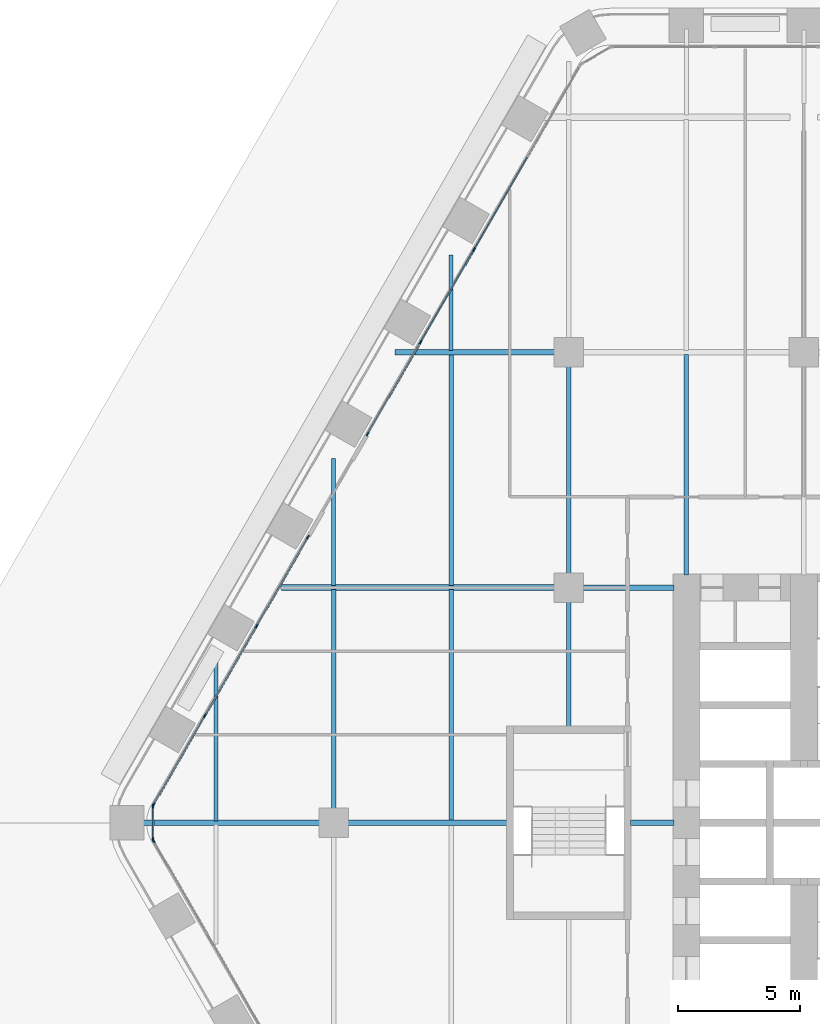
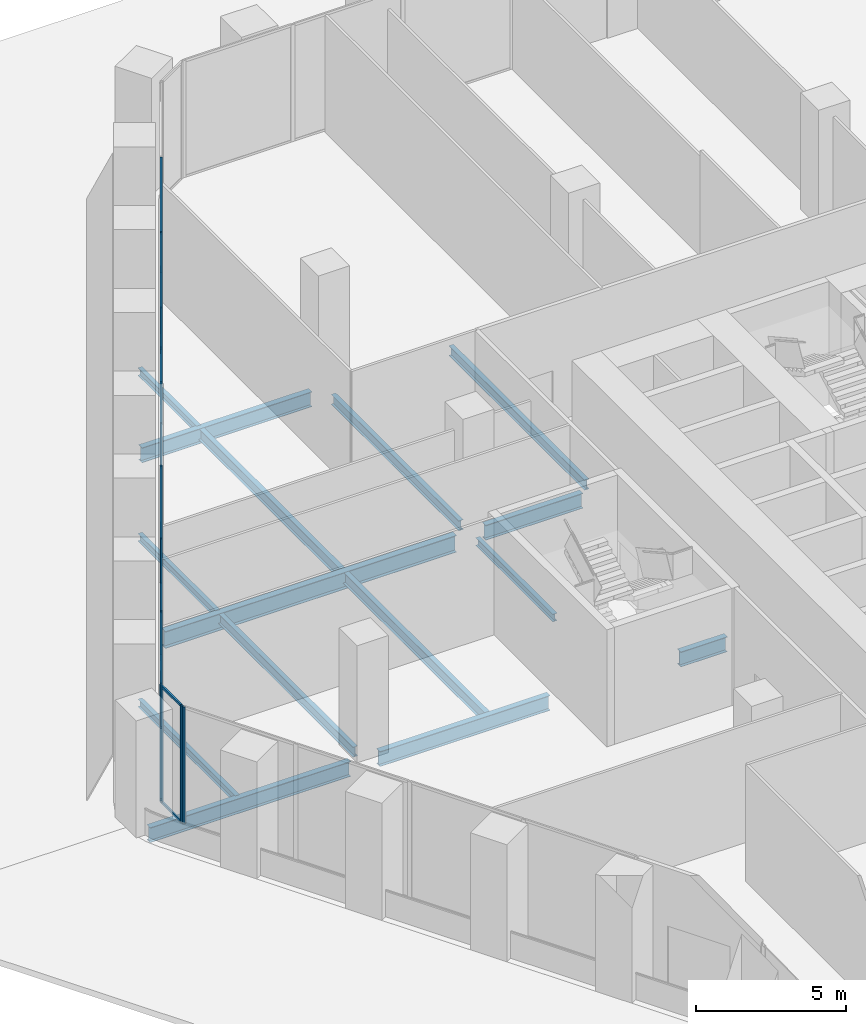
# One storey, part 7 of 29: 24 members, 15 beams, 4 elements without a shape of their own.
"""IFC4 building model written with IfcOpenShell, lengths in metres."""

from ifc_helpers import new_model, si_unit, direction, frame, origin, origin_2d, place, context, subcontext, project, spatial, rectangle, i_section, extrude, material, material_profile, profile_set, type_object, element, aggregate, save


model = new_model("IFC4")

# Units and contexts
model_context = context("Model", 3, precision=1e-05, world=origin(), true_north=direction((0.0, 1.0)))
body_context = subcontext(model_context, "Body", "Model", "MODEL_VIEW")
ifc_project = project(units=[si_unit("LENGTHUNIT", "METRE"), si_unit("AREAUNIT", "SQUARE_METRE"), si_unit("VOLUMEUNIT", "CUBIC_METRE"), si_unit("PLANEANGLEUNIT", "RADIAN"), si_unit("MASSUNIT", "GRAM", prefix="KILO")], contexts=[model_context])

# Site, building, storey
site_placement = place(None, origin())
site = spatial("IfcSite", under=ifc_project, at=site_placement, CompositionType="ELEMENT")
building_placement = place(site_placement, origin())
building = spatial("IfcBuilding", under=site, at=building_placement, Name="Kolab Exchange Tower", CompositionType="ELEMENT")
storey_placement = place(building_placement, frame((0.0, 0.0, 17.39990234375)))
storey = spatial("IfcBuildingStorey", under=building, at=storey_placement, Name="L03", CompositionType="ELEMENT", Elevation=17.39990234375)

# Beams
ifc_material_1 = material(Name="Steel S355", Category="steel")
ifc_material_profile_1 = material_profile(ifc_material_1, i_section(OverallWidth=0.1650390625, OverallDepth=0.31005859375, WebThickness=0.005859375, FlangeThickness=0.009765625, at=origin_2d()), Name="W310X39")
ifc_profile_set_1 = profile_set([ifc_material_profile_1], Name="Steel S355")
beam_type_1 = type_object("IfcBeamType", Name="FLOOR BEAM W310X39", PredefinedType="BEAM", material=ifc_profile_set_1)
beam_1_placement = place(storey_placement, frame((-33.60009765625, 0.073974609375, -0.40478515625), z_axis=(0.0, 1.0, 0.0), x_axis=(-1.0, 0.0, 0.0)))
element("IfcBeam", 1, at=beam_1_placement, inside=storey, type_object=beam_type_1, Name="beam/L03/fr/001", PredefinedType="BEAM", context=body_context, shape_type="SweptSolid", body=[
    extrude(i_section(OverallWidth=0.1650390625, OverallDepth=0.31005859375, WebThickness=0.005859375, FlangeThickness=0.009765625, at=origin_2d()), origin(), (0.0, 0.0, 1.0), 6.479736328125),
])
beam_2_placement = place(storey_placement, frame((-28.800048828125, 9.68701171875, -0.40478515625), z_axis=(0.0, 1.0, 0.0), x_axis=(-1.0, 0.0, 0.0)))
element("IfcBeam", 2, at=beam_2_placement, inside=storey, type_object=beam_type_1, Name="beam/L03/fr/005", PredefinedType="BEAM", context=body_context, shape_type="SweptSolid", body=[
    extrude(i_section(OverallWidth=0.1650390625, OverallDepth=0.31005859375, WebThickness=0.005859375, FlangeThickness=0.009765625, at=origin_2d()), origin(), (0.0, 0.0, 1.0), 5.1806640625),
])
beam_3_placement = place(storey_placement, frame((-24.0, 19.27392578125, -0.40478515625), z_axis=(0.0, 1.0, 0.0), x_axis=(-1.0, 0.0, 0.0)))
element("IfcBeam", 3, at=beam_3_placement, inside=storey, type_object=beam_type_1, Name="beam/L03/fr/011", PredefinedType="BEAM", context=body_context, shape_type="SweptSolid", body=[
    extrude(i_section(OverallWidth=0.1650390625, OverallDepth=0.31005859375, WebThickness=0.005859375, FlangeThickness=0.009765625, at=origin_2d()), origin(), (0.0, 0.0, 1.0), 3.907470703125),
])
beam_4_placement = place(storey_placement, frame((-19.199951171875, 3.909912109375, -0.40478515625), z_axis=(0.0, 1.0, 0.0), x_axis=(-1.0, 0.0, 0.0)))
element("IfcBeam", 4, at=beam_4_placement, inside=storey, type_object=beam_type_1, Name="beam/L03/fr/015", PredefinedType="BEAM", context=body_context, shape_type="SweptSolid", body=[
    extrude(i_section(OverallWidth=0.1650390625, OverallDepth=0.31005859375, WebThickness=0.005859375, FlangeThickness=0.009765625, at=origin_2d()), origin(), (0.0, 0.0, 1.0), 5.130126953125),
])
ifc_material_profile_2 = material_profile(ifc_material_1, i_section(OverallWidth=0.177978515625, OverallDepth=0.406982421875, WebThickness=0.0078125, FlangeThickness=0.0126953125, at=origin_2d()), Name="W410X60")
ifc_profile_set_2 = profile_set([ifc_material_profile_2], Name="Steel S355")
beam_type_2 = type_object("IfcBeamType", Name="FLOOR BEAM W410X60", PredefinedType="BEAM", material=ifc_profile_set_2)
beam_5_placement = place(storey_placement, frame((-28.800048828125, 0.56005859375, -0.453369140625), z_axis=(0.0, 1.0, 0.0), x_axis=(-1.0, 0.0, 0.0)))
element("IfcBeam", 5, at=beam_5_placement, inside=storey, type_object=beam_type_2, Name="beam/L03/fr/004", PredefinedType="BEAM", context=body_context, shape_type="SweptSolid", body=[
    extrude(i_section(OverallWidth=0.177978515625, OverallDepth=0.406982421875, WebThickness=0.0078125, FlangeThickness=0.0126953125, at=origin_2d()), origin(), (0.0, 0.0, 1.0), 8.952880859375),
])
beam_6_placement = place(storey_placement, frame((-19.199951171875, 10.159912109375, -0.453369140625), z_axis=(0.0, 1.0, 0.0), x_axis=(-1.0, 0.0, 0.0)))
element("IfcBeam", 6, at=beam_6_placement, inside=storey, type_object=beam_type_2, Name="beam/L03/fr/016", PredefinedType="BEAM", context=body_context, shape_type="SweptSolid", body=[
    extrude(i_section(OverallWidth=0.177978515625, OverallDepth=0.406982421875, WebThickness=0.0078125, FlangeThickness=0.0126953125, at=origin_2d()), origin(), (0.0, 0.0, 1.0), 8.47998046875),
])
beam_7_placement = place(storey_placement, frame((-14.39990234375, 10.110107421875, -0.453369140625), z_axis=(0.0, 1.0, 0.0), x_axis=(-1.0, 0.0, 0.0)))
element("IfcBeam", 7, at=beam_7_placement, inside=storey, type_object=beam_type_2, Name="beam/L03/fr/022", PredefinedType="BEAM", context=body_context, shape_type="SweptSolid", body=[
    extrude(i_section(OverallWidth=0.177978515625, OverallDepth=0.406982421875, WebThickness=0.0078125, FlangeThickness=0.0126953125, at=origin_2d()), origin(), (0.0, 0.0, 1.0), 9.015869140625),
])
ifc_material_profile_3 = material_profile(ifc_material_1, i_section(OverallWidth=0.18994140625, OverallDepth=0.45703125, WebThickness=0.009033203125, FlangeThickness=0.014404296875, at=origin_2d()), Name="W460X74")
ifc_profile_set_3 = profile_set([ifc_material_profile_3], Name="Steel S355")
beam_type_3 = type_object("IfcBeamType", Name="FLOOR BEAM W460X74", PredefinedType="BEAM", material=ifc_profile_set_3)
for number, where, z_axis, x_axis, name in (
    (8, (-24.0, 0.073974609375, -0.478515625), (0.0, 1.0, 0.0), (-1.0, 0.0, 0.0), "beam/L03/fr/009"),
    (9, (-24.0, 9.68701171875, -0.478515625), (0.0, 1.0, 0.0), (-1.0, 0.0, 0.0), "beam/L03/fr/010"),
):
    element("IfcBeam", number, at=place(storey_placement, frame(where, z_axis=z_axis, x_axis=x_axis)), inside=storey, type_object=beam_type_3, Name=name, PredefinedType="BEAM", context=body_context, shape_type="SweptSolid", body=[
        extrude(i_section(OverallWidth=0.18994140625, OverallDepth=0.45703125, WebThickness=0.009033203125, FlangeThickness=0.014404296875, at=origin_2d()), origin(), (0.0, 0.0, 1.0), 9.43896484375),
    ])
ifc_material_profile_4 = material_profile(ifc_material_1, i_section(OverallWidth=0.22802734375, OverallDepth=0.60791015625, WebThickness=0.01123046875, FlangeThickness=0.017333984375, at=origin_2d()), Name="W610X113")
ifc_profile_set_4 = profile_set([ifc_material_profile_4], Name="Steel S355")
beam_type_4 = type_object("IfcBeamType", Name="FLOOR GIRDER W610X113", PredefinedType="BEAM", material=ifc_profile_set_4)
beam_8_placement = place(storey_placement, frame((-37.0537109375, 0.0, -0.553955078125), z_axis=(1.0, 0.0, 0.0), x_axis=(0.0, 1.0, 0.0)))
element("IfcBeam", 10, at=beam_8_placement, inside=storey, type_object=beam_type_4, Name="beam/L03/gd/000", PredefinedType="BEAM", context=body_context, shape_type="SweptSolid", body=[
    extrude(i_section(OverallWidth=0.22802734375, OverallDepth=0.60791015625, WebThickness=0.01123046875, FlangeThickness=0.017333984375, at=origin_2d()), origin(), (0.0, 0.0, 1.0), 7.693603515625),
])
beam_9_placement = place(storey_placement, frame((-28.239990234375, 0.0, -0.553955078125), z_axis=(1.0, 0.0, 0.0), x_axis=(0.0, 1.0, 0.0)))
element("IfcBeam", 11, at=beam_9_placement, inside=storey, type_object=beam_type_4, Name="beam/L03/gd/004", PredefinedType="BEAM", context=body_context, shape_type="SweptSolid", body=[
    extrude(i_section(OverallWidth=0.22802734375, OverallDepth=0.60791015625, WebThickness=0.01123046875, FlangeThickness=0.017333984375, at=origin_2d()), origin(), (0.0, 0.0, 1.0), 6.530029296875),
])
beam_10_placement = place(storey_placement, frame((-26.286865234375, 19.199951171875, -0.553955078125), z_axis=(1.0, 0.0, 0.0), x_axis=(0.0, 1.0, 0.0)))
element("IfcBeam", 12, at=beam_10_placement, inside=storey, type_object=beam_type_4, Name="beam/L03/gd/006", PredefinedType="BEAM", context=body_context, shape_type="SweptSolid", body=[
    extrude(i_section(OverallWidth=0.22802734375, OverallDepth=0.60791015625, WebThickness=0.01123046875, FlangeThickness=0.017333984375, at=origin_2d()), origin(), (0.0, 0.0, 1.0), 6.52685546875),
])
beam_11_placement = place(storey_placement, frame((-18.639892578125, 9.60009765625, -0.553955078125), z_axis=(1.0, 0.0, 0.0), x_axis=(0.0, 1.0, 0.0)))
element("IfcBeam", 13, at=beam_11_placement, inside=storey, type_object=beam_type_4, Name="beam/L03/gd/011", PredefinedType="BEAM", context=body_context, shape_type="SweptSolid", body=[
    extrude(i_section(OverallWidth=0.22802734375, OverallDepth=0.60791015625, WebThickness=0.01123046875, FlangeThickness=0.017333984375, at=origin_2d()), origin(), (0.0, 0.0, 1.0), 3.72998046875),
])
beam_12_placement = place(storey_placement, frame((-16.68994140625, 0.0, -0.553955078125), z_axis=(1.0, 0.0, 0.0), x_axis=(0.0, 1.0, 0.0)))
element("IfcBeam", 14, at=beam_12_placement, inside=storey, type_object=beam_type_4, Name="beam/L03/gd/013", PredefinedType="BEAM", context=body_context, shape_type="SweptSolid", body=[
    extrude(i_section(OverallWidth=0.22802734375, OverallDepth=0.60791015625, WebThickness=0.01123046875, FlangeThickness=0.017333984375, at=origin_2d()), origin(), (0.0, 0.0, 1.0), 1.780029296875),
])
ifc_material_profile_5 = material_profile(ifc_material_1, i_section(OverallWidth=0.25390625, OverallDepth=0.68408203125, WebThickness=0.012451171875, FlangeThickness=0.018798828125, at=origin_2d()), Name="W690X140")
ifc_profile_set_5 = profile_set([ifc_material_profile_5], Name="Steel S355")
beam_type_5 = type_object("IfcBeamType", Name="FLOOR GIRDER W690X140", PredefinedType="BEAM", material=ifc_profile_set_5)
beam_13_placement = place(storey_placement, frame((-30.934326171875, 9.60009765625, -0.591796875), z_axis=(1.0, 0.0, 0.0), x_axis=(0.0, 1.0, 0.0)))
element("IfcBeam", 15, at=beam_13_placement, inside=storey, type_object=beam_type_5, Name="beam/L03/gd/002", PredefinedType="BEAM", context=body_context, shape_type="SweptSolid", body=[
    extrude(i_section(OverallWidth=0.25390625, OverallDepth=0.68408203125, WebThickness=0.012451171875, FlangeThickness=0.018798828125, at=origin_2d()), origin(), (0.0, 0.0, 1.0), 11.17431640625),
])

# Curtain wall, member
ifc_material_2 = material(Name="Aluminium EN AW-6063 T6", Category="aluminium")
curtain_wall_type = type_object("IfcCurtainWallType", Name="UNITISED LOW ZONE CURTAIN WALL", PredefinedType="NOTDEFINED", material=ifc_material_2)
curtain_wall_1_placement = place(storey_placement, origin())
curtain_wall_1 = element("IfcCurtainWall", 16, at=curtain_wall_1_placement, inside=storey, type_object=curtain_wall_type, Name="cw/L03/F5-2", PredefinedType="NOTDEFINED")
ifc_material_profile_6 = material_profile(ifc_material_2, rectangle(XDim=0.06005859375, YDim=0.159912109375, at=origin_2d()), Name="RECT 60X160")
ifc_profile_set_6 = profile_set([ifc_material_profile_6], Name="Aluminium EN AW-6063 T6")
member_type_1 = type_object("IfcMemberType", Name="UNITISED LOW ZONE MULLION 60 X 160", PredefinedType="MULLION", material=ifc_profile_set_6)
member_1_placement = place(storey_placement, frame((-36.150634765625, -0.736083984375, 0.0), z_axis=(0.0, 0.0, 1.0), x_axis=(-0.866025422102, -0.499999968274, 0.0)))
member_1 = element("IfcMember", 17, at=member_1_placement, type_object=member_type_1, Name="CW1 mullion 5", PredefinedType="MULLION", context=body_context, shape_type="SweptSolid", body=[
    extrude(rectangle(XDim=0.06005859375, YDim=0.159912109375, at=origin_2d()), origin(), (0.0, 0.0, 1.0), 4.75),
])
aggregate(curtain_wall_1, [member_1])

# Curtain wall, members
curtain_wall_2_placement = place(storey_placement, origin())
curtain_wall_2 = element("IfcCurtainWall", 18, at=curtain_wall_2_placement, inside=storey, type_object=curtain_wall_type, Name="cw/L03/F6-1", PredefinedType="NOTDEFINED")
member_2_placement = place(storey_placement, frame((-36.150634765625, 0.736083984375, 0.0), z_axis=(0.0, 0.0, 1.0), x_axis=(-0.866025427826, 0.499999958358, 0.0)))
member_2 = element("IfcMember", 19, at=member_2_placement, type_object=member_type_1, Name="CW1 mullion 1", PredefinedType="MULLION", context=body_context, shape_type="SweptSolid", body=[
    extrude(rectangle(XDim=0.06005859375, YDim=0.159912109375, at=origin_2d()), origin(), (0.0, 0.0, 1.0), 4.75),
])
member_3_placement = place(storey_placement, frame((-34.054443359375, 4.366943359375, 0.0), z_axis=(0.0, 0.0, 1.0), x_axis=(-0.866025427826, 0.499999958358, 0.0)))
member_3 = element("IfcMember", 20, at=member_3_placement, type_object=member_type_1, Name="CW1 mullion 2", PredefinedType="MULLION", context=body_context, shape_type="SweptSolid", body=[
    extrude(rectangle(XDim=0.06005859375, YDim=0.159912109375, at=origin_2d()), origin(), (0.0, 0.0, 1.0), 4.75),
])
member_4_placement = place(storey_placement, frame((-31.943115234375, 8.02392578125, 0.0), z_axis=(0.0, 0.0, 1.0), x_axis=(-0.866025427826, 0.499999958358, 0.0)))
member_4 = element("IfcMember", 21, at=member_4_placement, type_object=member_type_1, Name="CW1 mullion 3", PredefinedType="MULLION", context=body_context, shape_type="SweptSolid", body=[
    extrude(rectangle(XDim=0.06005859375, YDim=0.159912109375, at=origin_2d()), origin(), (0.0, 0.0, 1.0), 4.75),
])
member_5_placement = place(storey_placement, frame((-29.8466796875, 11.65478515625, 0.0), z_axis=(0.0, 0.0, 1.0), x_axis=(-0.866025427826, 0.499999958358, 0.0)))
member_5 = element("IfcMember", 22, at=member_5_placement, type_object=member_type_1, Name="CW1 mullion 4", PredefinedType="MULLION", context=body_context, shape_type="SweptSolid", body=[
    extrude(rectangle(XDim=0.06005859375, YDim=0.159912109375, at=origin_2d()), origin(), (0.0, 0.0, 1.0), 4.75),
])

curtain_wall_3_placement = place(storey_placement, origin())
curtain_wall_3 = element("IfcCurtainWall", 23, at=curtain_wall_3_placement, inside=storey, type_object=curtain_wall_type, Name="cw/L03/F6-2", PredefinedType="NOTDEFINED")
member_6_placement = place(storey_placement, frame((-27.416748046875, 15.86376953125, 0.0), z_axis=(0.0, 0.0, 1.0), x_axis=(-0.866025397318, 0.5000000112, 0.0)))
member_6 = element("IfcMember", 24, at=member_6_placement, type_object=member_type_1, Name="CW1 mullion 1", PredefinedType="MULLION", context=body_context, shape_type="SweptSolid", body=[
    extrude(rectangle(XDim=0.06005859375, YDim=0.159912109375, at=origin_2d()), origin(), (0.0, 0.0, 1.0), 4.75),
])
member_7_placement = place(storey_placement, frame((-25.248291015625, 19.61962890625, 0.0), z_axis=(0.0, 0.0, 1.0), x_axis=(-0.866025397318, 0.5000000112, 0.0)))
member_7 = element("IfcMember", 25, at=member_7_placement, type_object=member_type_1, Name="CW1 mullion 2", PredefinedType="MULLION", context=body_context, shape_type="SweptSolid", body=[
    extrude(rectangle(XDim=0.06005859375, YDim=0.159912109375, at=origin_2d()), origin(), (0.0, 0.0, 1.0), 4.75),
])
member_8_placement = place(storey_placement, frame((-23.064697265625, 23.401611328125, 0.0), z_axis=(0.0, 0.0, 1.0), x_axis=(-0.866025397318, 0.5000000112, 0.0)))
member_8 = element("IfcMember", 26, at=member_8_placement, type_object=member_type_1, Name="CW1 mullion 3", PredefinedType="MULLION", context=body_context, shape_type="SweptSolid", body=[
    extrude(rectangle(XDim=0.06005859375, YDim=0.159912109375, at=origin_2d()), origin(), (0.0, 0.0, 1.0), 4.75),
])

curtain_wall_4_placement = place(storey_placement, origin())
curtain_wall_4 = element("IfcCurtainWall", 27, at=curtain_wall_4_placement, inside=storey, type_object=curtain_wall_type, Name="cw/L03/F5F6-corner", PredefinedType="NOTDEFINED")
member_9_placement = place(storey_placement, frame((-36.165771484375, -0.679931640625, 0.0), z_axis=(0.0, 0.0, 1.0), x_axis=(-1.0, 0.0, 0.0)))
member_9 = element("IfcMember", 28, at=member_9_placement, type_object=member_type_1, Name="CW1 mullion 1", PredefinedType="MULLION", context=body_context, shape_type="SweptSolid", body=[
    extrude(rectangle(XDim=0.06005859375, YDim=0.159912109375, at=origin_2d()), origin(), (0.0, 0.0, 1.0), 4.75),
])
member_10_placement = place(storey_placement, frame((-36.165771484375, 0.679931640625, 0.0), z_axis=(0.0, 0.0, 1.0), x_axis=(-1.0, 0.0, 0.0)))
member_10 = element("IfcMember", 29, at=member_10_placement, type_object=member_type_1, Name="CW1 mullion 2", PredefinedType="MULLION", context=body_context, shape_type="SweptSolid", body=[
    extrude(rectangle(XDim=0.06005859375, YDim=0.159912109375, at=origin_2d()), origin(), (0.0, 0.0, 1.0), 4.75),
])

# Member
ifc_material_profile_7 = material_profile(ifc_material_2, rectangle(XDim=0.06005859375, YDim=0.10009765625, at=origin_2d()), Name="RECT 60X100")
ifc_profile_set_7 = profile_set([ifc_material_profile_7], Name="Aluminium EN AW-6063 T6")
member_type_2 = type_object("IfcMemberType", Name="UNITISED LOW ZONE TRANSOM 60 X 100", PredefinedType="USERDEFINED", material=ifc_profile_set_7)
member_11_placement = place(storey_placement, frame((-36.1357421875, 0.761962890625, 0.030029296875), z_axis=(0.500027577057, 0.866009481578, 0.0), x_axis=(-0.866009481578, 0.500027577057, 0.0)))
member_11 = element("IfcMember", 30, at=member_11_placement, type_object=member_type_2, Name="CW1 transom 1.1", ObjectType="TRANSOM", PredefinedType="USERDEFINED", context=body_context, shape_type="SweptSolid", body=[
    extrude(rectangle(XDim=0.06005859375, YDim=0.10009765625, at=origin_2d()), origin(), (0.0, 0.0, 1.0), 4.132568359375),
])

member_12_placement = place(storey_placement, frame((-36.1357421875, 0.761962890625, 4.72021484375), z_axis=(0.500027577057, 0.866009481578, 0.0), x_axis=(-0.866009481578, 0.500027577057, 0.0)))
member_12 = element("IfcMember", 31, at=member_12_placement, type_object=member_type_2, Name="CW1 transom 1.2", ObjectType="TRANSOM", PredefinedType="USERDEFINED", context=body_context, shape_type="SweptSolid", body=[
    extrude(rectangle(XDim=0.06005859375, YDim=0.10009765625, at=origin_2d()), origin(), (0.0, 0.0, 1.0), 4.132568359375),
])

member_13_placement = place(storey_placement, frame((-34.039306640625, 4.392822265625, 0.030029296875), z_axis=(0.49999322259, 0.866029316688, 0.0), x_axis=(-0.866029316688, 0.49999322259, 0.0)))
member_13 = element("IfcMember", 32, at=member_13_placement, type_object=member_type_2, Name="CW1 transom 2.1", ObjectType="TRANSOM", PredefinedType="USERDEFINED", context=body_context, shape_type="SweptSolid", body=[
    extrude(rectangle(XDim=0.06005859375, YDim=0.10009765625, at=origin_2d()), origin(), (0.0, 0.0, 1.0), 4.16259765625),
])

member_14_placement = place(storey_placement, frame((-34.039306640625, 4.392822265625, 4.72021484375), z_axis=(0.49999322259, 0.866029316688, 0.0), x_axis=(-0.866029316688, 0.49999322259, 0.0)))
member_14 = element("IfcMember", 33, at=member_14_placement, type_object=member_type_2, Name="CW1 transom 2.2", ObjectType="TRANSOM", PredefinedType="USERDEFINED", context=body_context, shape_type="SweptSolid", body=[
    extrude(rectangle(XDim=0.06005859375, YDim=0.10009765625, at=origin_2d()), origin(), (0.0, 0.0, 1.0), 4.16259765625),
])

member_15_placement = place(storey_placement, frame((-31.927978515625, 8.0498046875, 0.030029296875), z_axis=(0.500001996123, 0.866024251319, 0.0), x_axis=(-0.866024251319, 0.500001996123, 0.0)))
member_15 = element("IfcMember", 34, at=member_15_placement, type_object=member_type_2, Name="CW1 transom 3.1", ObjectType="TRANSOM", PredefinedType="USERDEFINED", context=body_context, shape_type="SweptSolid", body=[
    extrude(rectangle(XDim=0.06005859375, YDim=0.10009765625, at=origin_2d()), origin(), (0.0, 0.0, 1.0), 4.1328125),
])

member_16_placement = place(storey_placement, frame((-31.927978515625, 8.0498046875, 4.72021484375), z_axis=(0.500001996123, 0.866024251319, 0.0), x_axis=(-0.866024251319, 0.500001996123, 0.0)))
member_16 = element("IfcMember", 35, at=member_16_placement, type_object=member_type_2, Name="CW1 transom 3.2", ObjectType="TRANSOM", PredefinedType="USERDEFINED", context=body_context, shape_type="SweptSolid", body=[
    extrude(rectangle(XDim=0.06005859375, YDim=0.10009765625, at=origin_2d()), origin(), (0.0, 0.0, 1.0), 4.1328125),
])

aggregate(curtain_wall_2, [member_2, member_3, member_4, member_5, member_11, member_12, member_13, member_14, member_15, member_16])

member_17_placement = place(storey_placement, frame((-27.401611328125, 15.8896484375, 0.030029296875), z_axis=(0.499976099074, 0.866039202551, 0.0), x_axis=(-0.866039202551, 0.499976099074, 0.0)))
member_17 = element("IfcMember", 36, at=member_17_placement, type_object=member_type_2, Name="CW1 transom 1.1", ObjectType="TRANSOM", PredefinedType="USERDEFINED", context=body_context, shape_type="SweptSolid", body=[
    extrude(rectangle(XDim=0.06005859375, YDim=0.10009765625, at=origin_2d()), origin(), (0.0, 0.0, 1.0), 4.277099609375),
])

member_18_placement = place(storey_placement, frame((-27.401611328125, 15.8896484375, 4.72021484375), z_axis=(0.499976099074, 0.866039202551, 0.0), x_axis=(-0.866039202551, 0.499976099074, 0.0)))
member_18 = element("IfcMember", 37, at=member_18_placement, type_object=member_type_2, Name="CW1 transom 1.2", ObjectType="TRANSOM", PredefinedType="USERDEFINED", context=body_context, shape_type="SweptSolid", body=[
    extrude(rectangle(XDim=0.06005859375, YDim=0.10009765625, at=origin_2d()), origin(), (0.0, 0.0, 1.0), 4.277099609375),
])

member_19_placement = place(storey_placement, frame((-25.233154296875, 19.6455078125, 0.030029296875), z_axis=(0.500010313095, 0.866019449435, 0.0), x_axis=(-0.866019449435, 0.500010313095, 0.0)))
member_19 = element("IfcMember", 38, at=member_19_placement, type_object=member_type_2, Name="CW1 transom 2.1", ObjectType="TRANSOM", PredefinedType="USERDEFINED", context=body_context, shape_type="SweptSolid", body=[
    extrude(rectangle(XDim=0.06005859375, YDim=0.10009765625, at=origin_2d()), origin(), (0.0, 0.0, 1.0), 4.30712890625),
])

member_20_placement = place(storey_placement, frame((-25.233154296875, 19.6455078125, 4.72021484375), z_axis=(0.500010313095, 0.866019449435, 0.0), x_axis=(-0.866019449435, 0.500010313095, 0.0)))
member_20 = element("IfcMember", 39, at=member_20_placement, type_object=member_type_2, Name="CW1 transom 2.2", ObjectType="TRANSOM", PredefinedType="USERDEFINED", context=body_context, shape_type="SweptSolid", body=[
    extrude(rectangle(XDim=0.06005859375, YDim=0.10009765625, at=origin_2d()), origin(), (0.0, 0.0, 1.0), 4.30712890625),
])

member_21_placement = place(storey_placement, frame((-23.0498046875, 23.427490234375, 0.030029296875), z_axis=(0.500010313095, 0.866019449435, 0.0), x_axis=(-0.866019449435, 0.500010313095, 0.0)))
member_21 = element("IfcMember", 40, at=member_21_placement, type_object=member_type_2, Name="CW1 transom 3.1", ObjectType="TRANSOM", PredefinedType="USERDEFINED", context=body_context, shape_type="SweptSolid", body=[
    extrude(rectangle(XDim=0.06005859375, YDim=0.10009765625, at=origin_2d()), origin(), (0.0, 0.0, 1.0), 4.30712890625),
])

member_22_placement = place(storey_placement, frame((-23.0498046875, 23.427490234375, 4.72021484375), z_axis=(0.500010313095, 0.866019449435, 0.0), x_axis=(-0.866019449435, 0.500010313095, 0.0)))
member_22 = element("IfcMember", 41, at=member_22_placement, type_object=member_type_2, Name="CW1 transom 3.2", ObjectType="TRANSOM", PredefinedType="USERDEFINED", context=body_context, shape_type="SweptSolid", body=[
    extrude(rectangle(XDim=0.06005859375, YDim=0.10009765625, at=origin_2d()), origin(), (0.0, 0.0, 1.0), 4.30712890625),
])

aggregate(curtain_wall_3, [member_6, member_7, member_8, member_17, member_18, member_19, member_20, member_21, member_22])

member_23_placement = place(storey_placement, frame((-36.165771484375, -0.64990234375, 0.030029296875), z_axis=(0.0, 1.0, 0.0), x_axis=(-1.0, 0.0, 0.0)))
member_23 = element("IfcMember", 42, at=member_23_placement, type_object=member_type_2, Name="CW1 transom 1.1", ObjectType="TRANSOM", PredefinedType="USERDEFINED", context=body_context, shape_type="SweptSolid", body=[
    extrude(rectangle(XDim=0.06005859375, YDim=0.10009765625, at=origin_2d()), origin(), (0.0, 0.0, 1.0), 1.2998046875),
])

member_24_placement = place(storey_placement, frame((-36.165771484375, -0.64990234375, 4.72021484375), z_axis=(0.0, 1.0, 0.0), x_axis=(-1.0, 0.0, 0.0)))
member_24 = element("IfcMember", 43, at=member_24_placement, type_object=member_type_2, Name="CW1 transom 1.2", ObjectType="TRANSOM", PredefinedType="USERDEFINED", context=body_context, shape_type="SweptSolid", body=[
    extrude(rectangle(XDim=0.06005859375, YDim=0.10009765625, at=origin_2d()), origin(), (0.0, 0.0, 1.0), 1.2998046875),
])

aggregate(curtain_wall_4, [member_9, member_10, member_23, member_24])

save(model, "model.ifc")
